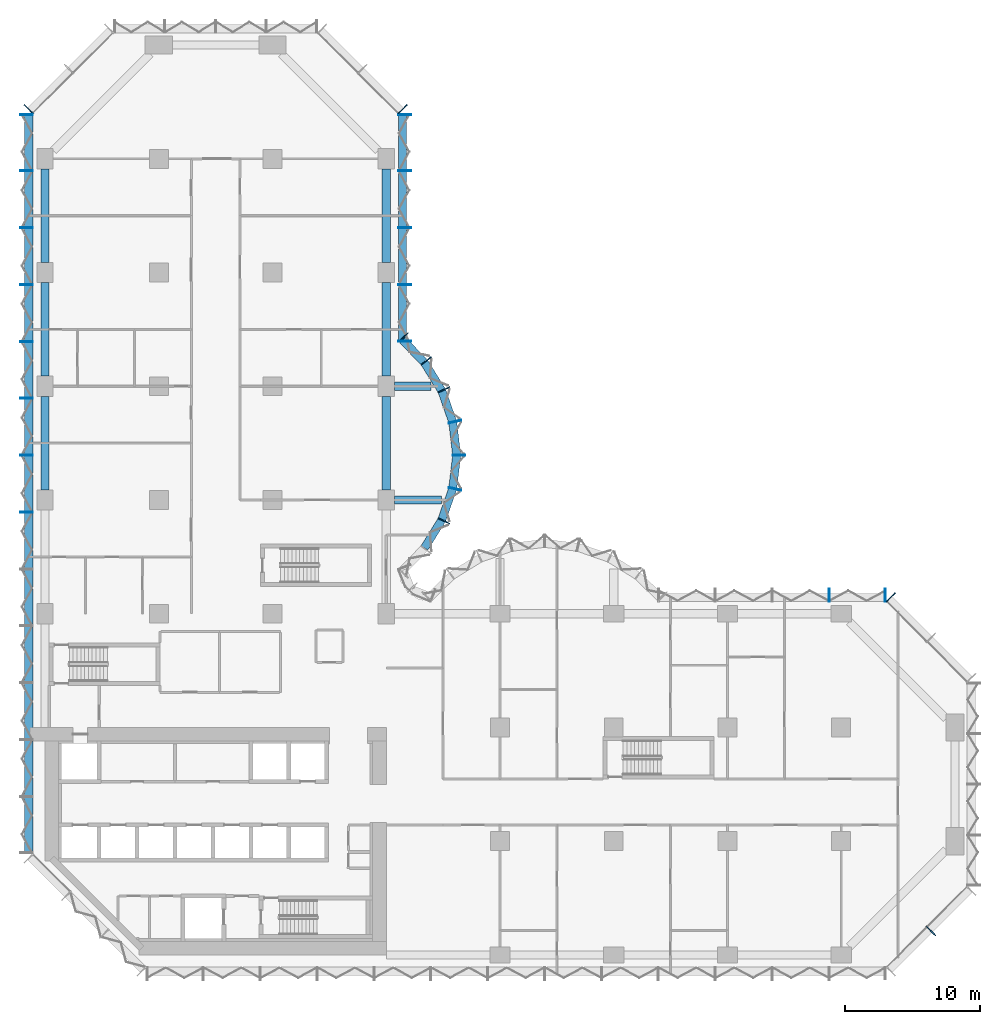
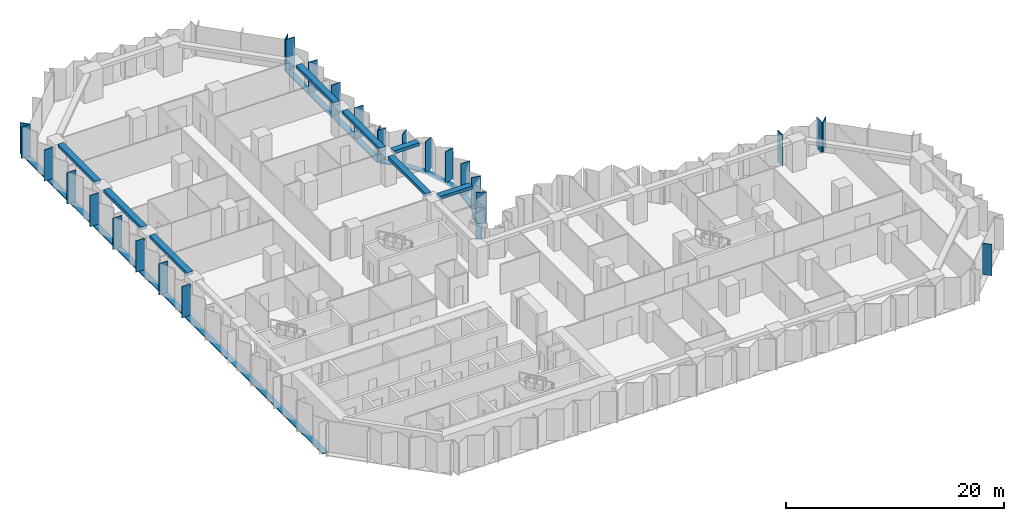
# One storey, part 3 of 15: 35 members, 8 beams, 8 elements without a shape of their own.
"""IFC4 building model written with IfcOpenShell, lengths in metres."""

from ifc_helpers import new_model, si_unit, direction, frame, origin, origin_2d, place, context, subcontext, project, spatial, rectangle, extrude, material, material_profile, profile_set, type_object, element, aggregate, save


model = new_model("IFC4")

# Units and contexts
model_context = context("Model", 3, precision=1e-05, world=origin(), true_north=direction((0.0, 1.0)))
body_context = subcontext(model_context, "Body", "Model", "MODEL_VIEW")
ifc_project = project(units=[si_unit("LENGTHUNIT", "METRE"), si_unit("AREAUNIT", "SQUARE_METRE"), si_unit("VOLUMEUNIT", "CUBIC_METRE"), si_unit("PLANEANGLEUNIT", "RADIAN"), si_unit("MASSUNIT", "GRAM", prefix="KILO")], contexts=[model_context])

# Site, building, storey
site_placement = place(None, origin())
site = spatial("IfcSite", under=ifc_project, at=site_placement, CompositionType="ELEMENT")
building_placement = place(site_placement, origin())
building = spatial("IfcBuilding", under=site, at=building_placement, Name="Brevane Broadcast Tower", CompositionType="ELEMENT")
storey_placement = place(building_placement, frame((0.0, 0.0, 43.699951171875)))
storey = spatial("IfcBuildingStorey", under=building, at=storey_placement, Name="L08", CompositionType="ELEMENT", Elevation=43.699951171875)

# Curtain wall, member
ifc_material_1 = material(Name="Aluminium 6063-T6 bronze anodised", Category="aluminium")
curtain_wall_type = type_object("IfcCurtainWallType", Name="CW-1 curtain wall", PredefinedType="NOTDEFINED", material=ifc_material_1)
curtain_wall_1_placement = place(storey_placement, origin())
curtain_wall_1 = element("IfcCurtainWall", 1, at=curtain_wall_1_placement, inside=storey, type_object=curtain_wall_type, Name="CW-1 typical tilted unit L08 south-east chamfer", PredefinedType="NOTDEFINED")
ifc_material_profile_1 = material_profile(ifc_material_1, rectangle(XDim=0.949951171875, YDim=0.070068359375, at=origin_2d()), Name="RECT 70x950")
ifc_profile_set_1 = profile_set([ifc_material_profile_1], Name="Aluminium 6063-T6 bronze anodised")
member_type_1 = type_object("IfcMemberType", Name="CW-1 mullion 70x950", PredefinedType="MULLION", material=ifc_profile_set_1)
member_1_placement = place(storey_placement, frame((65.435791015625, 1.76416015625, -0.14990234375), z_axis=(0.0, 0.0, 1.0), x_axis=(-0.707106781187, 0.707106781187, 0.0)))
member_1 = element("IfcMember", 2, at=member_1_placement, type_object=member_type_1, Name="CW-1 mullion", PredefinedType="MULLION", context=body_context, shape_type="SweptSolid", body=[
    extrude(rectangle(XDim=0.949951171875, YDim=0.070068359375, at=origin_2d()), origin(), (0.0, 0.0, 1.0), 3.5),
])
aggregate(curtain_wall_1, [member_1])

curtain_wall_2_placement = place(storey_placement, origin())
curtain_wall_2 = element("IfcCurtainWall", 3, at=curtain_wall_2_placement, inside=storey, type_object=curtain_wall_type, Name="CW-1 typical tilted unit L08 north-east chamfer", PredefinedType="NOTDEFINED")
member_2_placement = place(storey_placement, frame((62.460693359375, 26.4111328125, -0.14990234375), z_axis=(0.0, 0.0, 1.0), x_axis=(-0.707106781187, -0.707106781187, 0.0)))
member_2 = element("IfcMember", 4, at=member_2_placement, type_object=member_type_1, Name="CW-1 mullion", PredefinedType="MULLION", context=body_context, shape_type="SweptSolid", body=[
    extrude(rectangle(XDim=0.949951171875, YDim=0.070068359375, at=origin_2d()), origin(), (0.0, 0.0, 1.0), 3.5),
])
aggregate(curtain_wall_2, [member_2])

# Curtain wall, members
curtain_wall_3_placement = place(storey_placement, origin())
curtain_wall_3 = element("IfcCurtainWall", 5, at=curtain_wall_3_placement, inside=storey, type_object=curtain_wall_type, Name="CW-1 typical tilted unit L08 east arm north face", PredefinedType="NOTDEFINED")
member_3_placement = place(storey_placement, frame((62.06494140625, 26.574951171875, -0.14990234375), z_axis=(0.0, 0.0, 1.0), x_axis=(0.0, -1.0, 0.0)))
member_3 = element("IfcMember", 6, at=member_3_placement, type_object=member_type_1, Name="CW-1 mullion", PredefinedType="MULLION", context=body_context, shape_type="SweptSolid", body=[
    extrude(rectangle(XDim=0.949951171875, YDim=0.070068359375, at=origin_2d()), origin(), (0.0, 0.0, 1.0), 3.5),
])
member_4_placement = place(storey_placement, frame((57.89990234375, 26.574951171875, -0.14990234375), z_axis=(0.0, 0.0, 1.0), x_axis=(0.0, -1.0, 0.0)))
member_4 = element("IfcMember", 7, at=member_4_placement, type_object=member_type_1, Name="CW-1 mullion", PredefinedType="MULLION", context=body_context, shape_type="SweptSolid", body=[
    extrude(rectangle(XDim=0.949951171875, YDim=0.070068359375, at=origin_2d()), origin(), (0.0, 0.0, 1.0), 3.5),
])
aggregate(curtain_wall_3, [member_3, member_4])

curtain_wall_4_placement = place(storey_placement, origin())
curtain_wall_4 = element("IfcCurtainWall", 8, at=curtain_wall_4_placement, inside=storey, type_object=curtain_wall_type, Name="CW-1 typical tilted unit L08 north bow", PredefinedType="NOTDEFINED")
member_5_placement = place(storey_placement, frame((29.4580078125, 32.05322265625, -0.14990234375), z_axis=(0.0, 0.0, 1.0), x_axis=(-0.902860508933, 0.429933601163, 0.0)))
member_5 = element("IfcMember", 9, at=member_5_placement, type_object=member_type_1, Name="CW-1 mullion", PredefinedType="MULLION", context=body_context, shape_type="SweptSolid", body=[
    extrude(rectangle(XDim=0.949951171875, YDim=0.070068359375, at=origin_2d()), origin(), (0.0, 0.0, 1.0), 3.5),
])
member_6_placement = place(storey_placement, frame((30.28076171875, 34.411865234375, -0.14990234375), z_axis=(0.0, 0.0, 1.0), x_axis=(-0.974403430594, 0.224806482215, 0.0)))
member_6 = element("IfcMember", 10, at=member_6_placement, type_object=member_type_1, Name="CW-1 mullion", PredefinedType="MULLION", context=body_context, shape_type="SweptSolid", body=[
    extrude(rectangle(XDim=0.949951171875, YDim=0.070068359375, at=origin_2d()), origin(), (0.0, 0.0, 1.0), 3.5),
])
member_7_placement = place(storey_placement, frame((30.574951171875, 36.89990234375, -0.14990234375), z_axis=(0.0, 0.0, 1.0), x_axis=(-1.0, 0.0, 0.0)))
member_7 = element("IfcMember", 11, at=member_7_placement, type_object=member_type_1, Name="CW-1 mullion", PredefinedType="MULLION", context=body_context, shape_type="SweptSolid", body=[
    extrude(rectangle(XDim=0.949951171875, YDim=0.070068359375, at=origin_2d()), origin(), (0.0, 0.0, 1.0), 3.5),
])
member_8_placement = place(storey_placement, frame((30.28076171875, 39.38818359375, -0.14990234375), z_axis=(0.0, 0.0, 1.0), x_axis=(-0.974403430594, -0.224806482215, 0.0)))
member_8 = element("IfcMember", 12, at=member_8_placement, type_object=member_type_1, Name="CW-1 mullion", PredefinedType="MULLION", context=body_context, shape_type="SweptSolid", body=[
    extrude(rectangle(XDim=0.949951171875, YDim=0.070068359375, at=origin_2d()), origin(), (0.0, 0.0, 1.0), 3.5),
])
member_9_placement = place(storey_placement, frame((29.4580078125, 41.746826171875, -0.14990234375), z_axis=(0.0, 0.0, 1.0), x_axis=(-0.902860508933, -0.429933601163, 0.0)))
member_9 = element("IfcMember", 13, at=member_9_placement, type_object=member_type_1, Name="CW-1 mullion", PredefinedType="MULLION", context=body_context, shape_type="SweptSolid", body=[
    extrude(rectangle(XDim=0.949951171875, YDim=0.070068359375, at=origin_2d()), origin(), (0.0, 0.0, 1.0), 3.5),
])
member_10_placement = place(storey_placement, frame((28.1455078125, 43.8720703125, -0.14990234375), z_axis=(0.0, 0.0, 1.0), x_axis=(-0.788706642853, -0.614769738617, 0.0)))
member_10 = element("IfcMember", 14, at=member_10_placement, type_object=member_type_1, Name="CW-1 mullion", PredefinedType="MULLION", context=body_context, shape_type="SweptSolid", body=[
    extrude(rectangle(XDim=0.949951171875, YDim=0.070068359375, at=origin_2d()), origin(), (0.0, 0.0, 1.0), 3.5),
])
member_11_placement = place(storey_placement, frame((26.465087890625, 45.60595703125, -0.14990234375), z_axis=(0.0, 0.0, 1.0), x_axis=(-0.717253872699, -0.696811941702, 0.0)))
member_11 = element("IfcMember", 15, at=member_11_placement, type_object=member_type_1, Name="CW-1 mullion", PredefinedType="MULLION", context=body_context, shape_type="SweptSolid", body=[
    extrude(rectangle(XDim=0.949951171875, YDim=0.070068359375, at=origin_2d()), origin(), (0.0, 0.0, 1.0), 3.5),
])

curtain_wall_5_placement = place(storey_placement, origin())
curtain_wall_5 = element("IfcCurtainWall", 16, at=curtain_wall_5_placement, inside=storey, type_object=curtain_wall_type, Name="CW-1 typical tilted unit L08 north arm east face", PredefinedType="NOTDEFINED")
member_12_placement = place(storey_placement, frame((26.574951171875, 45.3349609375, -0.14990234375), z_axis=(0.0, 0.0, 1.0), x_axis=(-1.0, 0.0, 0.0)))
member_12 = element("IfcMember", 17, at=member_12_placement, type_object=member_type_1, Name="CW-1 mullion", PredefinedType="MULLION", context=body_context, shape_type="SweptSolid", body=[
    extrude(rectangle(XDim=0.949951171875, YDim=0.070068359375, at=origin_2d()), origin(), (0.0, 0.0, 1.0), 3.5),
])
member_13_placement = place(storey_placement, frame((26.574951171875, 49.5, -0.14990234375), z_axis=(0.0, 0.0, 1.0), x_axis=(-1.0, 0.0, 0.0)))
member_13 = element("IfcMember", 18, at=member_13_placement, type_object=member_type_1, Name="CW-1 mullion", PredefinedType="MULLION", context=body_context, shape_type="SweptSolid", body=[
    extrude(rectangle(XDim=0.949951171875, YDim=0.070068359375, at=origin_2d()), origin(), (0.0, 0.0, 1.0), 3.5),
])
member_14_placement = place(storey_placement, frame((26.574951171875, 53.699951171875, -0.14990234375), z_axis=(0.0, 0.0, 1.0), x_axis=(-1.0, 0.0, 0.0)))
member_14 = element("IfcMember", 19, at=member_14_placement, type_object=member_type_1, Name="CW-1 mullion", PredefinedType="MULLION", context=body_context, shape_type="SweptSolid", body=[
    extrude(rectangle(XDim=0.949951171875, YDim=0.070068359375, at=origin_2d()), origin(), (0.0, 0.0, 1.0), 3.5),
])
member_15_placement = place(storey_placement, frame((26.574951171875, 57.89990234375, -0.14990234375), z_axis=(0.0, 0.0, 1.0), x_axis=(-1.0, 0.0, 0.0)))
member_15 = element("IfcMember", 20, at=member_15_placement, type_object=member_type_1, Name="CW-1 mullion", PredefinedType="MULLION", context=body_context, shape_type="SweptSolid", body=[
    extrude(rectangle(XDim=0.949951171875, YDim=0.070068359375, at=origin_2d()), origin(), (0.0, 0.0, 1.0), 3.5),
])
member_16_placement = place(storey_placement, frame((26.574951171875, 62.06494140625, -0.14990234375), z_axis=(0.0, 0.0, 1.0), x_axis=(-1.0, 0.0, 0.0)))
member_16 = element("IfcMember", 21, at=member_16_placement, type_object=member_type_1, Name="CW-1 mullion", PredefinedType="MULLION", context=body_context, shape_type="SweptSolid", body=[
    extrude(rectangle(XDim=0.949951171875, YDim=0.070068359375, at=origin_2d()), origin(), (0.0, 0.0, 1.0), 3.5),
])

# Curtain wall, member
curtain_wall_6_placement = place(storey_placement, origin())
curtain_wall_6 = element("IfcCurtainWall", 22, at=curtain_wall_6_placement, inside=storey, type_object=curtain_wall_type, Name="CW-1 typical tilted unit L08 north arm north-east chamfer", PredefinedType="NOTDEFINED")
member_17_placement = place(storey_placement, frame((26.4111328125, 62.460693359375, -0.14990234375), z_axis=(0.0, 0.0, 1.0), x_axis=(-0.707106781187, -0.707106781187, 0.0)))
member_17 = element("IfcMember", 23, at=member_17_placement, type_object=member_type_1, Name="CW-1 mullion", PredefinedType="MULLION", context=body_context, shape_type="SweptSolid", body=[
    extrude(rectangle(XDim=0.949951171875, YDim=0.070068359375, at=origin_2d()), origin(), (0.0, 0.0, 1.0), 3.5),
])
aggregate(curtain_wall_6, [member_17])

curtain_wall_7_placement = place(storey_placement, origin())
curtain_wall_7 = element("IfcCurtainWall", 24, at=curtain_wall_7_placement, inside=storey, type_object=curtain_wall_type, Name="CW-1 typical tilted unit L08 north-west chamfer", PredefinedType="NOTDEFINED")
member_18_placement = place(storey_placement, frame((-1.211181640625, 62.460693359375, -0.14990234375), z_axis=(0.0, 0.0, 1.0), x_axis=(0.707106781187, -0.707106781187, 0.0)))
member_18 = element("IfcMember", 25, at=member_18_placement, type_object=member_type_1, Name="CW-1 mullion", PredefinedType="MULLION", context=body_context, shape_type="SweptSolid", body=[
    extrude(rectangle(XDim=0.949951171875, YDim=0.070068359375, at=origin_2d()), origin(), (0.0, 0.0, 1.0), 3.5),
])
aggregate(curtain_wall_7, [member_18])

# Curtain wall, members
curtain_wall_8_placement = place(storey_placement, origin())
curtain_wall_8 = element("IfcCurtainWall", 26, at=curtain_wall_8_placement, inside=storey, type_object=curtain_wall_type, Name="CW-1 typical tilted unit L08 west face", PredefinedType="NOTDEFINED")
member_19_placement = place(storey_placement, frame((-1.375, 62.06494140625, -0.14990234375), z_axis=(0.0, 0.0, 1.0), x_axis=(1.0, 0.0, 0.0)))
member_19 = element("IfcMember", 27, at=member_19_placement, type_object=member_type_1, Name="CW-1 mullion", PredefinedType="MULLION", context=body_context, shape_type="SweptSolid", body=[
    extrude(rectangle(XDim=0.949951171875, YDim=0.070068359375, at=origin_2d()), origin(), (0.0, 0.0, 1.0), 3.5),
])
member_20_placement = place(storey_placement, frame((-1.375, 57.89990234375, -0.14990234375), z_axis=(0.0, 0.0, 1.0), x_axis=(1.0, 0.0, 0.0)))
member_20 = element("IfcMember", 28, at=member_20_placement, type_object=member_type_1, Name="CW-1 mullion", PredefinedType="MULLION", context=body_context, shape_type="SweptSolid", body=[
    extrude(rectangle(XDim=0.949951171875, YDim=0.070068359375, at=origin_2d()), origin(), (0.0, 0.0, 1.0), 3.5),
])
member_21_placement = place(storey_placement, frame((-1.375, 53.699951171875, -0.14990234375), z_axis=(0.0, 0.0, 1.0), x_axis=(1.0, 0.0, 0.0)))
member_21 = element("IfcMember", 29, at=member_21_placement, type_object=member_type_1, Name="CW-1 mullion", PredefinedType="MULLION", context=body_context, shape_type="SweptSolid", body=[
    extrude(rectangle(XDim=0.949951171875, YDim=0.070068359375, at=origin_2d()), origin(), (0.0, 0.0, 1.0), 3.5),
])
member_22_placement = place(storey_placement, frame((-1.375, 49.5, -0.14990234375), z_axis=(0.0, 0.0, 1.0), x_axis=(1.0, 0.0, 0.0)))
member_22 = element("IfcMember", 30, at=member_22_placement, type_object=member_type_1, Name="CW-1 mullion", PredefinedType="MULLION", context=body_context, shape_type="SweptSolid", body=[
    extrude(rectangle(XDim=0.949951171875, YDim=0.070068359375, at=origin_2d()), origin(), (0.0, 0.0, 1.0), 3.5),
])
member_23_placement = place(storey_placement, frame((-1.375, 45.300048828125, -0.14990234375), z_axis=(0.0, 0.0, 1.0), x_axis=(1.0, 0.0, 0.0)))
member_23 = element("IfcMember", 31, at=member_23_placement, type_object=member_type_1, Name="CW-1 mullion", PredefinedType="MULLION", context=body_context, shape_type="SweptSolid", body=[
    extrude(rectangle(XDim=0.949951171875, YDim=0.070068359375, at=origin_2d()), origin(), (0.0, 0.0, 1.0), 3.5),
])
member_24_placement = place(storey_placement, frame((-1.375, 41.10009765625, -0.14990234375), z_axis=(0.0, 0.0, 1.0), x_axis=(1.0, 0.0, 0.0)))
member_24 = element("IfcMember", 32, at=member_24_placement, type_object=member_type_1, Name="CW-1 mullion", PredefinedType="MULLION", context=body_context, shape_type="SweptSolid", body=[
    extrude(rectangle(XDim=0.949951171875, YDim=0.070068359375, at=origin_2d()), origin(), (0.0, 0.0, 1.0), 3.5),
])
member_25_placement = place(storey_placement, frame((-1.375, 36.89990234375, -0.14990234375), z_axis=(0.0, 0.0, 1.0), x_axis=(1.0, 0.0, 0.0)))
member_25 = element("IfcMember", 33, at=member_25_placement, type_object=member_type_1, Name="CW-1 mullion", PredefinedType="MULLION", context=body_context, shape_type="SweptSolid", body=[
    extrude(rectangle(XDim=0.949951171875, YDim=0.070068359375, at=origin_2d()), origin(), (0.0, 0.0, 1.0), 3.5),
])
member_26_placement = place(storey_placement, frame((-1.375, 32.699951171875, -0.14990234375), z_axis=(0.0, 0.0, 1.0), x_axis=(1.0, 0.0, 0.0)))
member_26 = element("IfcMember", 34, at=member_26_placement, type_object=member_type_1, Name="CW-1 mullion", PredefinedType="MULLION", context=body_context, shape_type="SweptSolid", body=[
    extrude(rectangle(XDim=0.949951171875, YDim=0.070068359375, at=origin_2d()), origin(), (0.0, 0.0, 1.0), 3.5),
])

# Member
ifc_material_profile_2 = material_profile(ifc_material_1, rectangle(XDim=0.60009765625, YDim=0.10009765625, at=origin_2d()), Name="RECT 100x600")
ifc_profile_set_2 = profile_set([ifc_material_profile_2], Name="Aluminium 6063-T6 bronze anodised")
member_type_2 = type_object("IfcMemberType", Name="CW-1 transom 100x600", PredefinedType="USERDEFINED", material=ifc_profile_set_2)
member_27_placement = place(storey_placement, frame((28.023193359375, 30.0576171875, -0.199951171875), z_axis=(0.525427766759, 0.850838211365, 0.0), x_axis=(-0.850838211365, 0.525427766759, 0.0)))
member_27 = element("IfcMember", 35, at=member_27_placement, type_object=member_type_2, Name="CW-1 transom", ObjectType="TRANSOM", PredefinedType="USERDEFINED", context=body_context, shape_type="SweptSolid", body=[
    extrude(rectangle(XDim=0.60009765625, YDim=0.10009765625, at=origin_2d()), origin(), (0.0, 0.0, 1.0), 2.394775390625),
])

member_28_placement = place(storey_placement, frame((29.314208984375, 32.163818359375, -0.199951171875), z_axis=(0.329378497041, 0.944197969542, 0.0), x_axis=(-0.944197969542, 0.329378497041, 0.0)))
member_28 = element("IfcMember", 36, at=member_28_placement, type_object=member_type_2, Name="CW-1 transom", ObjectType="TRANSOM", PredefinedType="USERDEFINED", context=body_context, shape_type="SweptSolid", body=[
    extrude(rectangle(XDim=0.60009765625, YDim=0.10009765625, at=origin_2d()), origin(), (0.0, 0.0, 1.0), 2.394775390625),
])

member_29_placement = place(storey_placement, frame((30.117431640625, 34.499755859375, -0.199951171875), z_axis=(0.117603307202, 0.993060653805, 0.0), x_axis=(-0.993060653805, 0.117603307202, 0.0)))
member_29 = element("IfcMember", 37, at=member_29_placement, type_object=member_type_2, Name="CW-1 transom", ObjectType="TRANSOM", PredefinedType="USERDEFINED", context=body_context, shape_type="SweptSolid", body=[
    extrude(rectangle(XDim=0.60009765625, YDim=0.10009765625, at=origin_2d()), origin(), (0.0, 0.0, 1.0), 2.397705078125),
])

member_30_placement = place(storey_placement, frame((30.3994140625, 36.9189453125, -0.199951171875), z_axis=(-0.117591417, 0.993062061831, 0.0), x_axis=(-0.993062061831, -0.117591417, 0.0)))
member_30 = element("IfcMember", 38, at=member_30_placement, type_object=member_type_2, Name="CW-1 transom", ObjectType="TRANSOM", PredefinedType="USERDEFINED", context=body_context, shape_type="SweptSolid", body=[
    extrude(rectangle(XDim=0.60009765625, YDim=0.10009765625, at=origin_2d()), origin(), (0.0, 0.0, 1.0), 2.39794921875),
])

member_31_placement = place(storey_placement, frame((30.10302734375, 39.375, -0.199951171875), z_axis=(-0.329378497041, 0.944197969542, 0.0), x_axis=(-0.944197969542, -0.329378497041, 0.0)))
member_31 = element("IfcMember", 39, at=member_31_placement, type_object=member_type_2, Name="CW-1 transom", ObjectType="TRANSOM", PredefinedType="USERDEFINED", context=body_context, shape_type="SweptSolid", body=[
    extrude(rectangle(XDim=0.60009765625, YDim=0.10009765625, at=origin_2d()), origin(), (0.0, 0.0, 1.0), 2.394775390625),
])

member_32_placement = place(storey_placement, frame((29.281494140625, 41.704833984375, -0.199951171875), z_axis=(-0.525473345162, 0.850810063131, 0.0), x_axis=(-0.850810063131, -0.525473345162, 0.0)))
member_32 = element("IfcMember", 40, at=member_32_placement, type_object=member_type_2, Name="CW-1 transom", ObjectType="TRANSOM", PredefinedType="USERDEFINED", context=body_context, shape_type="SweptSolid", body=[
    extrude(rectangle(XDim=0.60009765625, YDim=0.10009765625, at=origin_2d()), origin(), (0.0, 0.0, 1.0), 2.39453125),
])

member_33_placement = place(storey_placement, frame((27.974365234375, 43.800537109375, -0.199951171875), z_axis=(-0.696823999134, 0.71724215871, 0.0), x_axis=(-0.71724215871, -0.696823999134, 0.0)))
member_33 = element("IfcMember", 41, at=member_33_placement, type_object=member_type_2, Name="CW-1 transom", ObjectType="TRANSOM", PredefinedType="USERDEFINED", context=body_context, shape_type="SweptSolid", body=[
    extrude(rectangle(XDim=0.60009765625, YDim=0.10009765625, at=origin_2d()), origin(), (0.0, 0.0, 1.0), 2.247802734375),
])

aggregate(curtain_wall_4, [member_5, member_6, member_7, member_8, member_9, member_10, member_11, member_27, member_28, member_29, member_30, member_31, member_32, member_33])

member_34_placement = place(storey_placement, frame((26.39990234375, 45.300048828125, -0.199951171875), z_axis=(0.0, 1.0, 0.0), x_axis=(-1.0, 0.0, 0.0)))
member_34 = element("IfcMember", 42, at=member_34_placement, type_object=member_type_2, Name="CW-1 transom", ObjectType="TRANSOM", PredefinedType="USERDEFINED", context=body_context, shape_type="SweptSolid", body=[
    extrude(rectangle(XDim=0.60009765625, YDim=0.10009765625, at=origin_2d()), origin(), (0.0, 0.0, 1.0), 16.800048828125),
])

aggregate(curtain_wall_5, [member_12, member_13, member_14, member_15, member_16, member_34])

member_35_placement = place(storey_placement, frame((-1.199951171875, 62.10009765625, -0.199951171875), z_axis=(0.0, -1.0, 0.0), x_axis=(1.0, 0.0, 0.0)))
member_35 = element("IfcMember", 43, at=member_35_placement, type_object=member_type_2, Name="CW-1 transom", ObjectType="TRANSOM", PredefinedType="USERDEFINED", context=body_context, shape_type="SweptSolid", body=[
    extrude(rectangle(XDim=0.60009765625, YDim=0.10009765625, at=origin_2d()), origin(), (0.0, 0.0, 1.0), 54.60009765625),
])

aggregate(curtain_wall_8, [member_19, member_20, member_21, member_22, member_23, member_24, member_25, member_26, member_35])

# Beams
ifc_material_2 = material(Name="Concrete C40/50", Category="concrete")
ifc_material_profile_3 = material_profile(ifc_material_2, rectangle(XDim=0.60009765625, YDim=0.35009765625, at=origin_2d()), Name="RC 600x350")
ifc_profile_set_3 = profile_set([ifc_material_profile_3], Name="Concrete C40/50")
beam_type_1 = type_object("IfcBeamType", Name="RC BRACKET BEAM 600x350 C40/50", PredefinedType="BEAM", material=ifc_profile_set_3)
beam_1_placement = place(storey_placement, frame((25.800048828125, 33.60009765625, 3.175048828125), z_axis=(1.0, 0.0, 0.0), x_axis=(0.0, 1.0, 0.0)))
element("IfcBeam", 44, at=beam_1_placement, inside=storey, type_object=beam_type_1, Name="EB2 L08-1", PredefinedType="BEAM", context=body_context, shape_type="SweptSolid", body=[
    extrude(rectangle(XDim=0.60009765625, YDim=0.35009765625, at=origin_2d()), origin(), (0.0, 0.0, 1.0), 3.4619140625),
])
beam_2_placement = place(storey_placement, frame((25.800048828125, 42.0, 3.175048828125), z_axis=(1.0, 0.0, 0.0), x_axis=(0.0, 1.0, 0.0)))
element("IfcBeam", 45, at=beam_2_placement, inside=storey, type_object=beam_type_1, Name="EB2 L08-2", PredefinedType="BEAM", context=body_context, shape_type="SweptSolid", body=[
    extrude(rectangle(XDim=0.60009765625, YDim=0.35009765625, at=origin_2d()), origin(), (0.0, 0.0, 1.0), 2.71142578125),
])
ifc_material_profile_4 = material_profile(ifc_material_2, rectangle(XDim=0.60009765625, YDim=0.35009765625, at=origin_2d()), Name="RC 600x350")
ifc_profile_set_4 = profile_set([ifc_material_profile_4], Name="Concrete C40/50")
beam_type_2 = type_object("IfcBeamType", Name="RC SPANDREL BEAM 600x350 C40/50", PredefinedType="SPANDREL", material=ifc_profile_set_4)
for number, where, z_axis, x_axis, name in (
    (46, (25.199951171875, 34.35009765625, 3.175048828125), (0.0, 1.0, 0.0), (-1.0, 0.0, 0.0), "EB1 L08-13"),
    (47, (25.199951171875, 42.75, 3.175048828125), (0.0, 1.0, 0.0), (-1.0, 0.0, 0.0), "EB1 L08-14"),
):
    element("IfcBeam", number, at=place(storey_placement, frame(where, z_axis=z_axis, x_axis=x_axis)), inside=storey, type_object=beam_type_2, Name=name, PredefinedType="SPANDREL", context=body_context, shape_type="SweptSolid", body=[
        extrude(rectangle(XDim=0.60009765625, YDim=0.35009765625, at=origin_2d()), origin(), (0.0, 0.0, 1.0), 6.89990234375),
    ])
for number, where, z_axis, x_axis, name in (
    (48, (25.199951171875, 51.14990234375, 3.175048828125), (0.0, 1.0, 0.0), (-1.0, 0.0, 0.0), "EB1 L08-15"),
    (49, (0.0, 58.050048828125, 3.175048828125), (0.0, -1.0, 0.0), (1.0, 0.0, 0.0), "EB1 L08-19"),
):
    element("IfcBeam", number, at=place(storey_placement, frame(where, z_axis=z_axis, x_axis=x_axis)), inside=storey, type_object=beam_type_2, Name=name, PredefinedType="SPANDREL", context=body_context, shape_type="SweptSolid", body=[
        extrude(rectangle(XDim=0.60009765625, YDim=0.35009765625, at=origin_2d()), origin(), (0.0, 0.0, 1.0), 6.900146484375),
    ])
for number, where, z_axis, x_axis, name in (
    (50, (0.0, 49.64990234375, 3.175048828125), (0.0, -1.0, 0.0), (1.0, 0.0, 0.0), "EB1 L08-20"),
    (51, (0.0, 41.25, 3.175048828125), (0.0, -1.0, 0.0), (1.0, 0.0, 0.0), "EB1 L08-21"),
):
    element("IfcBeam", number, at=place(storey_placement, frame(where, z_axis=z_axis, x_axis=x_axis)), inside=storey, type_object=beam_type_2, Name=name, PredefinedType="SPANDREL", context=body_context, shape_type="SweptSolid", body=[
        extrude(rectangle(XDim=0.60009765625, YDim=0.35009765625, at=origin_2d()), origin(), (0.0, 0.0, 1.0), 6.89990234375),
    ])

save(model, "model.ifc")
